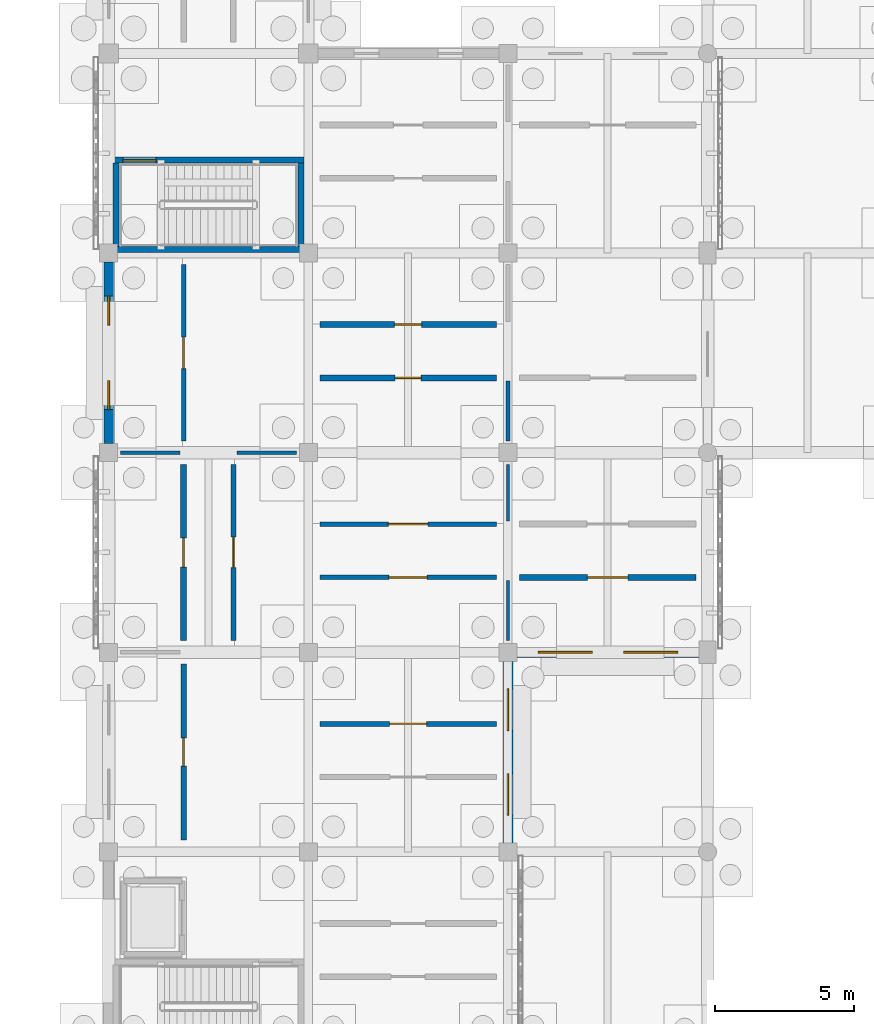
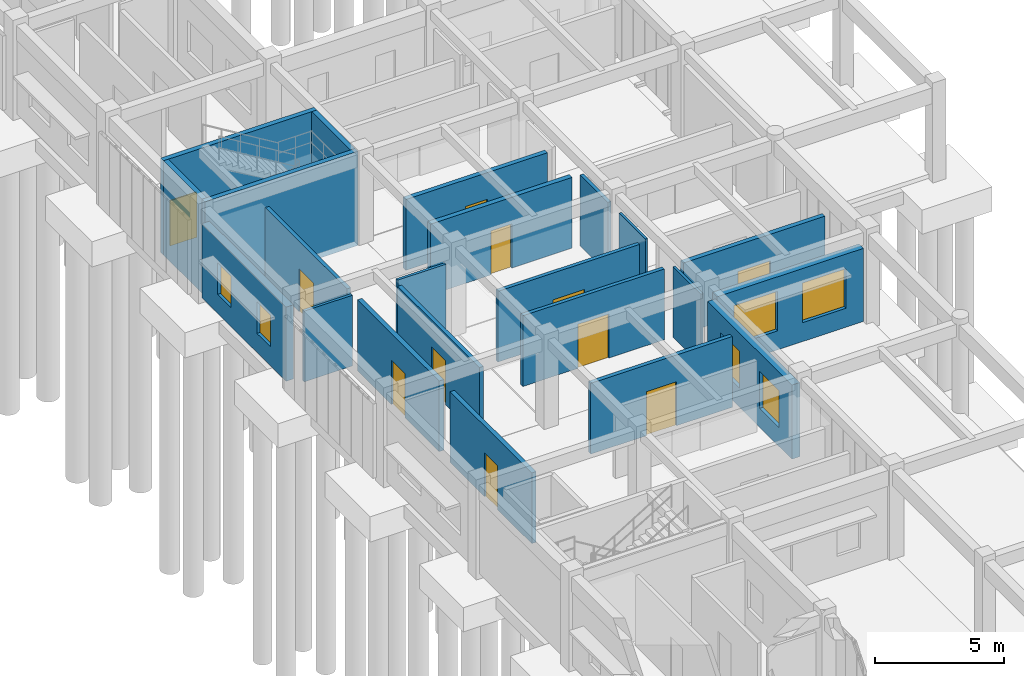
# One storey, part 64 of 111: 22 walls, 11 doors, 6 windows, 17 openings.
"""IFC4 building model written with IfcOpenShell, lengths in metres."""

from ifc_helpers import new_model, si_unit, direction, frame, frame_2d, origin, place, context, subcontext, project, spatial, rectangle, extrude, material, layer, layer_set, type_object, element, fill, save


model = new_model("IFC4")

# Units and contexts
model_context = context("Model", 3, precision=1e-05, world=origin(), true_north=direction((0.0, 1.0)))
body_context = subcontext(model_context, "Body", "Model", "MODEL_VIEW")
ifc_project = project(units=[si_unit("LENGTHUNIT", "METRE"), si_unit("AREAUNIT", "SQUARE_METRE"), si_unit("VOLUMEUNIT", "CUBIC_METRE"), si_unit("PLANEANGLEUNIT", "RADIAN"), si_unit("MASSUNIT", "GRAM", prefix="KILO")], contexts=[model_context])

# Site, building, storey
site_placement = place(None, origin())
site = spatial("IfcSite", under=ifc_project, at=site_placement, CompositionType="ELEMENT")
building_placement = place(site_placement, origin())
building = spatial("IfcBuilding", under=site, at=building_placement, Name="Aldebral Square Health Centre", CompositionType="ELEMENT")
storey_placement = place(building_placement, origin())
storey = spatial("IfcBuildingStorey", under=building, at=storey_placement, Name="L00", CompositionType="ELEMENT", Elevation=0.0)

# Wall, openings, windows
ifc_material_1 = material(Name="Cream cantera stone and concrete wall C35/45", Category="masonry")
ifc_layer_1 = layer(ifc_material_1, 0.340087890625, Name="Cream cantera stone and concrete wall C35/45", Category="masonry")
ifc_layer_set_1 = layer_set([ifc_layer_1], Name="Cream cantera stone and concrete wall C35/45")
wall_type_1 = type_object("IfcWallType", Name="EW-CAN-340", PredefinedType="SOLIDWALL", material=ifc_layer_set_1)
wall_1_placement = place(storey_placement, frame((0.0, 57.27490234375, 0.0), z_axis=(0.0, 0.0, 1.0), x_axis=(0.0, -1.0, 0.0)))
wall_1 = element("IfcWall", 1, at=wall_1_placement, inside=storey, type_object=wall_type_1, Name="L00 V4 exterior wall L00-V4-00-07-W", PredefinedType="SOLIDWALL", context=body_context, shape_type="SweptSolid", body=[
    extrude(rectangle(XDim=6.5498046875, YDim=0.340087890625, at=frame_2d((3.27490234375, 0.0))), origin(), (0.0, 0.0, 1.0), 3.52001953125),
])
opening_1_placement = place(wall_1_placement, frame((1.22509765625, 0.0, 0.89990234375)))
opening_1 = element("IfcOpeningElement", 2, at=opening_1_placement, cuts=wall_1, Name="Opening W20", PredefinedType="OPENING", context=body_context, shape_type="SweptSolid", body=[
    extrude(rectangle(XDim=1.050048828125, YDim=1.5, at=frame_2d((0.52490234375, 0.75))), frame((0.0, 0.18017578125, 0.0), z_axis=(0.0, -1.0, 0.0), x_axis=(1.0, 0.0, 0.0)), (0.0, 0.0, 1.0), 0.360107421875),
])
opening_2_placement = place(wall_1_placement, frame((4.27490234375, 0.0, 0.89990234375)))
opening_2 = element("IfcOpeningElement", 3, at=opening_2_placement, cuts=wall_1, Name="Opening W20", PredefinedType="OPENING", context=body_context, shape_type="SweptSolid", body=[
    extrude(rectangle(XDim=1.050048828125, YDim=1.5, at=frame_2d((0.52490234375, 0.75))), frame((0.0, 0.18017578125, 0.0), z_axis=(0.0, -1.0, 0.0), x_axis=(1.0, 0.0, 0.0)), (0.0, 0.0, 1.0), 0.360107421875),
])
ifc_material_2 = material(Name="Thermally broken aluminium and low-E glass", Category="aluminium")
window_type_1 = type_object("IfcWindowType", Name="WIN-W20", PartitioningType="SINGLE_PANEL", PredefinedType="WINDOW", material=ifc_material_2)
window_1_placement = place(opening_1_placement, origin())
window_1 = element("IfcWindow", 4, at=window_1_placement, inside=storey, type_object=window_type_1, Name="L00 clinical window L00-V4-00-07-W.1", OverallHeight=1.5, OverallWidth=1.050048828125, PartitioningType="SINGLE_PANEL", PredefinedType="WINDOW", context=body_context, shape_type="SweptSolid", body=[
    extrude(rectangle(XDim=1.050048828125, YDim=1.5, at=frame_2d((0.52490234375, 0.75))), frame((0.0, 0.030029296875, 0.0), z_axis=(0.0, -1.0, 0.0), x_axis=(1.0, 0.0, 0.0)), (0.0, 0.0, 1.0), 0.06005859375),
])
fill(opening_1, window_1)
window_2_placement = place(opening_2_placement, origin())
window_2 = element("IfcWindow", 5, at=window_2_placement, inside=storey, type_object=window_type_1, Name="L00 clinical window L00-V4-00-07-W.2", OverallHeight=1.5, OverallWidth=1.050048828125, PartitioningType="SINGLE_PANEL", PredefinedType="WINDOW", context=body_context, shape_type="SweptSolid", body=[
    extrude(rectangle(XDim=1.050048828125, YDim=1.5, at=frame_2d((0.52490234375, 0.75))), frame((0.0, 0.030029296875, 0.0), z_axis=(0.0, -1.0, 0.0), x_axis=(1.0, 0.0, 0.0)), (0.0, 0.0, 1.0), 0.06005859375),
])
fill(opening_2, window_2)

ifc_layer_2 = layer(ifc_material_1, 0.360107421875, Name="Cream cantera stone and concrete wall C35/45", Category="masonry")
ifc_layer_set_2 = layer_set([ifc_layer_2], Name="Cream cantera stone and concrete wall C35/45")
wall_type_2 = type_object("IfcWallType", Name="EW-CAN-360", PredefinedType="SOLIDWALL", material=ifc_layer_set_2)
wall_2_placement = place(storey_placement, frame((14.39990234375, 36.324951171875, 0.0), z_axis=(0.0, 0.0, 1.0), x_axis=(0.0, 1.0, 0.0)))
wall_2 = element("IfcWall", 6, at=wall_2_placement, inside=storey, type_object=wall_type_2, Name="L00 V6 exterior wall L00-V6-01-05-E", PredefinedType="SOLIDWALL", context=body_context, shape_type="SweptSolid", body=[
    extrude(rectangle(XDim=6.550048828125, YDim=0.360107421875, at=frame_2d((3.27490234375, 0.0))), origin(), (0.0, 0.0, 1.0), 3.52001953125),
])
opening_3_placement = place(wall_2_placement, frame((1.0, 0.0, 0.89990234375)))
opening_3 = element("IfcOpeningElement", 7, at=opening_3_placement, cuts=wall_2, Name="Opening W41", PredefinedType="OPENING", context=body_context, shape_type="SweptSolid", body=[
    extrude(rectangle(XDim=1.5, YDim=1.75, at=frame_2d((0.75, 0.875))), frame((0.0, 0.18994140625, 0.0), z_axis=(0.0, -1.0, 0.0), x_axis=(1.0, 0.0, 0.0)), (0.0, 0.0, 1.0), 0.380126953125),
])
opening_4_placement = place(wall_2_placement, frame((4.050048828125, 0.0, 0.89990234375)))
opening_4 = element("IfcOpeningElement", 8, at=opening_4_placement, cuts=wall_2, Name="Opening W41", PredefinedType="OPENING", context=body_context, shape_type="SweptSolid", body=[
    extrude(rectangle(XDim=1.5, YDim=1.75, at=frame_2d((0.75, 0.875))), frame((0.0, 0.18994140625, 0.0), z_axis=(0.0, -1.0, 0.0), x_axis=(1.0, 0.0, 0.0)), (0.0, 0.0, 1.0), 0.380126953125),
])
window_type_2 = type_object("IfcWindowType", Name="WIN-W41", PartitioningType="SINGLE_PANEL", PredefinedType="WINDOW", material=ifc_material_2)
window_3_placement = place(opening_3_placement, origin())
window_3 = element("IfcWindow", 9, at=window_3_placement, inside=storey, type_object=window_type_2, Name="L00 clinical window L00-V6-01-05-E.1", OverallHeight=1.75, OverallWidth=1.5, PartitioningType="SINGLE_PANEL", PredefinedType="WINDOW", context=body_context, shape_type="SweptSolid", body=[
    extrude(rectangle(XDim=1.5, YDim=1.75, at=frame_2d((0.75, 0.875))), frame((0.0, 0.030029296875, 0.0), z_axis=(0.0, -1.0, 0.0), x_axis=(1.0, 0.0, 0.0)), (0.0, 0.0, 1.0), 0.06005859375),
])
fill(opening_3, window_3)
window_4_placement = place(opening_4_placement, origin())
window_4 = element("IfcWindow", 10, at=window_4_placement, inside=storey, type_object=window_type_2, Name="L00 clinical window L00-V6-01-05-E.2", OverallHeight=1.75, OverallWidth=1.5, PartitioningType="SINGLE_PANEL", PredefinedType="WINDOW", context=body_context, shape_type="SweptSolid", body=[
    extrude(rectangle(XDim=1.5, YDim=1.75, at=frame_2d((0.75, 0.875))), frame((0.0, 0.030029296875, 0.0), z_axis=(0.0, -1.0, 0.0), x_axis=(1.0, 0.0, 0.0)), (0.0, 0.0, 1.0), 0.06005859375),
])
fill(opening_4, window_4)

wall_3_placement = place(storey_placement, frame((14.72509765625, 43.199951171875, 0.0), z_axis=(0.0, 0.0, 1.0), x_axis=(1.0, 0.0, 0.0)))
wall_3 = element("IfcWall", 11, at=wall_3_placement, inside=storey, type_object=wall_type_2, Name="L00 V6 exterior wall L00-V6-02-06-S", PredefinedType="SOLIDWALL", context=body_context, shape_type="SweptSolid", body=[
    extrude(rectangle(XDim=6.574951171875, YDim=0.360107421875, at=frame_2d((3.28759765625, 0.0))), origin(), (0.0, 0.0, 1.0), 3.469970703125),
])
opening_5_placement = place(wall_3_placement, frame((0.77490234375, 0.0, 0.89990234375)))
opening_5 = element("IfcOpeningElement", 12, at=opening_5_placement, cuts=wall_3, Name="Opening W53", PredefinedType="OPENING", context=body_context, shape_type="SweptSolid", body=[
    extrude(rectangle(XDim=1.949951171875, YDim=1.8798828125, at=frame_2d((0.97509765625, 0.93994140625))), frame((0.0, 0.18994140625, 0.0), z_axis=(0.0, -1.0, 0.0), x_axis=(1.0, 0.0, 0.0)), (0.0, 0.0, 1.0), 0.380126953125),
])
opening_6_placement = place(wall_3_placement, frame((3.85009765625, 0.0, 0.89990234375)))
opening_6 = element("IfcOpeningElement", 13, at=opening_6_placement, cuts=wall_3, Name="Opening W53", PredefinedType="OPENING", context=body_context, shape_type="SweptSolid", body=[
    extrude(rectangle(XDim=1.949951171875, YDim=1.8798828125, at=frame_2d((0.97509765625, 0.93994140625))), frame((0.0, 0.18994140625, 0.0), z_axis=(0.0, -1.0, 0.0), x_axis=(1.0, 0.0, 0.0)), (0.0, 0.0, 1.0), 0.380126953125),
])
window_type_3 = type_object("IfcWindowType", Name="WIN-W53", PartitioningType="SINGLE_PANEL", PredefinedType="WINDOW", material=ifc_material_2)
window_5_placement = place(opening_5_placement, origin())
window_5 = element("IfcWindow", 14, at=window_5_placement, inside=storey, type_object=window_type_3, Name="L00 clinical window L00-V6-02-06-S.1", OverallHeight=1.8798828125, OverallWidth=1.949951171875, PartitioningType="SINGLE_PANEL", PredefinedType="WINDOW", context=body_context, shape_type="SweptSolid", body=[
    extrude(rectangle(XDim=1.949951171875, YDim=1.8798828125, at=frame_2d((0.97509765625, 0.93994140625))), frame((0.0, 0.030029296875, 0.0), z_axis=(0.0, -1.0, 0.0), x_axis=(1.0, 0.0, 0.0)), (0.0, 0.0, 1.0), 0.06005859375),
])
fill(opening_5, window_5)
window_6_placement = place(opening_6_placement, origin())
window_6 = element("IfcWindow", 15, at=window_6_placement, inside=storey, type_object=window_type_3, Name="L00 clinical window L00-V6-02-06-S.2", OverallHeight=1.8798828125, OverallWidth=1.949951171875, PartitioningType="SINGLE_PANEL", PredefinedType="WINDOW", context=body_context, shape_type="SweptSolid", body=[
    extrude(rectangle(XDim=1.949951171875, YDim=1.8798828125, at=frame_2d((0.97509765625, 0.93994140625))), frame((0.0, 0.030029296875, 0.0), z_axis=(0.0, -1.0, 0.0), x_axis=(1.0, 0.0, 0.0)), (0.0, 0.0, 1.0), 0.06005859375),
])
fill(opening_6, window_6)

# Wall, opening, door
ifc_material_3 = material(Name="Concrete C35/45 compartment wall", Category="concrete")
ifc_layer_3 = layer(ifc_material_3, 0.199951171875, Name="Concrete C35/45 compartment wall", Category="concrete")
ifc_layer_set_3 = layer_set([ifc_layer_3], Name="Concrete C35/45 compartment wall")
wall_type_3 = type_object("IfcWallType", Name="IW-CMP-200", PredefinedType="SOLIDWALL", material=ifc_layer_set_3)
wall_4_placement = place(storey_placement, frame((2.699951171875, 36.419921875, 0.0), z_axis=(0.0, 0.0, 1.0), x_axis=(0.0, 1.0, 0.0)))
wall_4 = element("IfcWall", 16, at=wall_4_placement, inside=storey, type_object=wall_type_3, Name="L00 Nutrition Teaching Studio 1.6W corridor wall", PredefinedType="SOLIDWALL", context=body_context, shape_type="SweptSolid", body=[
    extrude(rectangle(XDim=6.360107421875, YDim=0.199951171875, at=frame_2d((3.18017578125, 0.0))), origin(), (0.0, 0.0, 1.0), 3.360107421875),
])
opening_7_placement = place(wall_4_placement, frame((2.669921875, 0.0, 0.0)))
opening_7 = element("IfcOpeningElement", 17, at=opening_7_placement, cuts=wall_4, Name="Opening D-0172", PredefinedType="OPENING", context=body_context, shape_type="SweptSolid", body=[
    extrude(rectangle(XDim=1.02001953125, YDim=2.090087890625, at=frame_2d((0.510009765625, 1.044921875))), frame((0.0, 0.10986328125, 0.0), z_axis=(0.0, -1.0, 0.0), x_axis=(1.0, 0.0, 0.0)), (0.0, 0.0, 1.0), 0.219970703125),
])
ifc_material_4 = material(Name="Clinical suite fire door")
door_type_1 = type_object("IfcDoorType", Name="ID-EXD-19", OperationType="NOTDEFINED", PredefinedType="DOOR", material=ifc_material_4)
door_1_placement = place(opening_7_placement, origin())
door_1 = element("IfcDoor", 18, at=door_1_placement, inside=storey, type_object=door_type_1, Name="L00 Nutrition Teaching Studio 1.6W door", OperationType="SINGLE_SWING_LEFT", OverallHeight=2.090087890625, OverallWidth=1.02001953125, PredefinedType="DOOR", context=body_context, shape_type="SweptSolid", body=[
    extrude(rectangle(XDim=1.02001953125, YDim=2.090087890625, at=frame_2d((0.510009765625, 1.044921875))), frame((0.0, 0.02490234375, 0.0), z_axis=(0.0, -1.0, 0.0), x_axis=(1.0, 0.0, 0.0)), (0.0, 0.0, 1.0), 0.050048828125),
])
fill(opening_7, door_1)

ifc_layer_4 = layer(ifc_material_3, 0.219970703125, Name="Concrete C35/45 compartment wall", Category="concrete")
ifc_layer_set_4 = layer_set([ifc_layer_4], Name="Concrete C35/45 compartment wall")
wall_type_4 = type_object("IfcWallType", Name="IW-CMP-220", PredefinedType="SOLIDWALL", material=ifc_layer_set_4)
wall_5_placement = place(storey_placement, frame((7.6201171875, 53.10009765625, 0.0), z_axis=(0.0, 0.0, 1.0), x_axis=(1.0, 0.0, 0.0)))
wall_5 = element("IfcWall", 19, at=wall_5_placement, inside=storey, type_object=wall_type_4, Name="L00 Clean Clinical Store 2.8S corridor wall", PredefinedType="SOLIDWALL", context=body_context, shape_type="SweptSolid", body=[
    extrude(rectangle(XDim=6.35986328125, YDim=0.219970703125, at=frame_2d((3.179931640625, 0.0))), origin(), (0.0, 0.0, 1.0), 3.360107421875),
])
opening_8_placement = place(wall_5_placement, frame((2.7099609375, 0.0, 0.0)))
opening_8 = element("IfcOpeningElement", 20, at=opening_8_placement, cuts=wall_5, Name="Opening D-0101", PredefinedType="OPENING", context=body_context, shape_type="SweptSolid", body=[
    extrude(rectangle(XDim=0.93994140625, YDim=2.090087890625, at=frame_2d((0.469970703125, 1.044921875))), frame((0.0, 0.1201171875, 0.0), z_axis=(0.0, -1.0, 0.0), x_axis=(1.0, 0.0, 0.0)), (0.0, 0.0, 1.0), 0.239990234375),
])
door_type_2 = type_object("IfcDoorType", Name="ID-EXD-17", OperationType="NOTDEFINED", PredefinedType="DOOR", material=ifc_material_4)
door_2_placement = place(opening_8_placement, origin())
door_2 = element("IfcDoor", 21, at=door_2_placement, inside=storey, type_object=door_type_2, Name="L00 Clean Clinical Store 2.8S door", OperationType="SINGLE_SWING_RIGHT", OverallHeight=2.090087890625, OverallWidth=0.93994140625, PredefinedType="DOOR", context=body_context, shape_type="SweptSolid", body=[
    extrude(rectangle(XDim=0.93994140625, YDim=2.090087890625, at=frame_2d((0.469970703125, 1.044921875))), frame((0.0, 0.02490234375, 0.0), z_axis=(0.0, -1.0, 0.0), x_axis=(1.0, 0.0, 0.0)), (0.0, 0.0, 1.0), 0.050048828125),
])
fill(opening_8, door_2)

ifc_material_5 = material(Name="Fire-rated acoustic gypsum partition")
ifc_layer_5 = layer(ifc_material_5, 0.1650390625, Name="Fire-rated acoustic gypsum partition")
ifc_layer_set_5 = layer_set([ifc_layer_5], Name="Fire-rated acoustic gypsum partition")
wall_type_5 = type_object("IfcWallType", Name="IW-COR-165", PredefinedType="PARTITIONING", material=ifc_layer_set_5)
wall_6_placement = place(storey_placement, frame((2.699951171875, 50.820068359375, 0.0), z_axis=(0.0, 0.0, 1.0), x_axis=(0.0, 1.0, 0.0)))
wall_6 = element("IfcWall", 22, at=wall_6_placement, inside=storey, type_object=wall_type_5, Name="L00 General Consulting Room 1.8W corridor wall", PredefinedType="PARTITIONING", context=body_context, shape_type="SweptSolid", body=[
    extrude(rectangle(XDim=6.35986328125, YDim=0.1650390625, at=frame_2d((3.179931640625, 0.0))), origin(), (0.0, 0.0, 1.0), 3.360107421875),
])
opening_9_placement = place(wall_6_placement, frame((2.610107421875, 0.0, 0.0)))
opening_9 = element("IfcOpeningElement", 23, at=opening_9_placement, cuts=wall_6, Name="Opening D-0090", PredefinedType="OPENING", context=body_context, shape_type="SweptSolid", body=[
    extrude(rectangle(XDim=1.139892578125, YDim=2.0400390625, at=frame_2d((0.56982421875, 1.02001953125))), frame((0.0, 0.092529296875, 0.0), z_axis=(0.0, -1.0, 0.0), x_axis=(1.0, 0.0, 0.0)), (0.0, 0.0, 1.0), 0.18505859375),
])
door_type_3 = type_object("IfcDoorType", Name="ID-EXD-06", OperationType="NOTDEFINED", PredefinedType="DOOR", material=ifc_material_4)
door_3_placement = place(opening_9_placement, origin())
door_3 = element("IfcDoor", 24, at=door_3_placement, inside=storey, type_object=door_type_3, Name="L00 General Consulting Room 1.8W door", OperationType="SINGLE_SWING_LEFT", OverallHeight=2.0400390625, OverallWidth=1.139892578125, PredefinedType="DOOR", context=body_context, shape_type="SweptSolid", body=[
    extrude(rectangle(XDim=1.139892578125, YDim=2.0400390625, at=frame_2d((0.56982421875, 1.02001953125))), frame((0.0, 0.02490234375, 0.0), z_axis=(0.0, -1.0, 0.0), x_axis=(1.0, 0.0, 0.0)), (0.0, 0.0, 1.0), 0.050048828125),
])
fill(opening_9, door_3)

wall_7_placement = place(storey_placement, frame((7.6201171875, 45.89990234375, 0.0), z_axis=(0.0, 0.0, 1.0), x_axis=(1.0, 0.0, 0.0)))
wall_7 = element("IfcWall", 25, at=wall_7_placement, inside=storey, type_object=wall_type_5, Name="L00 Social Work Interview Room 2.7S corridor wall", PredefinedType="PARTITIONING", context=body_context, shape_type="SweptSolid", body=[
    extrude(rectangle(XDim=6.35986328125, YDim=0.1650390625, at=frame_2d((3.179931640625, 0.0))), origin(), (0.0, 0.0, 1.0), 3.360107421875),
])
opening_10_placement = place(wall_7_placement, frame((2.489990234375, 0.0, 0.0)))
opening_10 = element("IfcOpeningElement", 26, at=opening_10_placement, cuts=wall_7, Name="Opening D-0181", PredefinedType="OPENING", context=body_context, shape_type="SweptSolid", body=[
    extrude(rectangle(XDim=1.3798828125, YDim=2.090087890625, at=frame_2d((0.68994140625, 1.044921875))), frame((0.0, 0.092529296875, 0.0), z_axis=(0.0, -1.0, 0.0), x_axis=(1.0, 0.0, 0.0)), (0.0, 0.0, 1.0), 0.18505859375),
])
door_type_4 = type_object("IfcDoorType", Name="ID-EXD-28", OperationType="NOTDEFINED", PredefinedType="DOOR", material=ifc_material_4)
door_4_placement = place(opening_10_placement, origin())
door_4 = element("IfcDoor", 27, at=door_4_placement, inside=storey, type_object=door_type_4, Name="L00 Social Work Interview Room 2.7S door", OperationType="SINGLE_SWING_RIGHT", OverallHeight=2.090087890625, OverallWidth=1.3798828125, PredefinedType="DOOR", context=body_context, shape_type="SweptSolid", body=[
    extrude(rectangle(XDim=1.3798828125, YDim=2.090087890625, at=frame_2d((0.68994140625, 1.044921875))), frame((0.0, 0.02490234375, 0.0), z_axis=(0.0, -1.0, 0.0), x_axis=(1.0, 0.0, 0.0)), (0.0, 0.0, 1.0), 0.050048828125),
])
fill(opening_10, door_4)

wall_8_placement = place(storey_placement, frame((7.6201171875, 47.820068359375, 0.0), z_axis=(0.0, 0.0, 1.0), x_axis=(1.0, 0.0, 0.0)))
wall_8 = element("IfcWall", 28, at=wall_8_placement, inside=storey, type_object=wall_type_5, Name="L00 Nutrition Teaching Studio 2.7N corridor wall", PredefinedType="PARTITIONING", context=body_context, shape_type="SweptSolid", body=[
    extrude(rectangle(XDim=6.35986328125, YDim=0.1650390625, at=frame_2d((3.179931640625, 0.0))), origin(), (0.0, 0.0, 1.0), 3.360107421875),
])
opening_11_placement = place(wall_8_placement, frame((2.469970703125, 0.0, 0.0)))
opening_11 = element("IfcOpeningElement", 29, at=opening_11_placement, cuts=wall_8, Name="Opening D-0182", PredefinedType="OPENING", context=body_context, shape_type="SweptSolid", body=[
    extrude(rectangle(XDim=1.419921875, YDim=2.090087890625, at=frame_2d((0.7099609375, 1.044921875))), frame((0.0, 0.092529296875, 0.0), z_axis=(0.0, -1.0, 0.0), x_axis=(1.0, 0.0, 0.0)), (0.0, 0.0, 1.0), 0.18505859375),
])
door_type_5 = type_object("IfcDoorType", Name="ID-EXD-29", OperationType="NOTDEFINED", PredefinedType="DOOR", material=ifc_material_4)
door_5_placement = place(opening_11_placement, origin())
door_5 = element("IfcDoor", 30, at=door_5_placement, inside=storey, type_object=door_type_5, Name="L00 Nutrition Teaching Studio 2.7N door", OperationType="SINGLE_SWING_LEFT", OverallHeight=2.090087890625, OverallWidth=1.419921875, PredefinedType="DOOR", context=body_context, shape_type="SweptSolid", body=[
    extrude(rectangle(XDim=1.419921875, YDim=2.090087890625, at=frame_2d((0.7099609375, 1.044921875))), frame((0.0, 0.02490234375, 0.0), z_axis=(0.0, -1.0, 0.0), x_axis=(1.0, 0.0, 0.0)), (0.0, 0.0, 1.0), 0.050048828125),
])
fill(opening_11, door_5)

ifc_layer_6 = layer(ifc_material_5, 0.179931640625, Name="Fire-rated acoustic gypsum partition")
ifc_layer_set_6 = layer_set([ifc_layer_6], Name="Fire-rated acoustic gypsum partition")
wall_type_6 = type_object("IfcWallType", Name="IW-COR-180", PredefinedType="PARTITIONING", material=ifc_layer_set_6)
wall_9_placement = place(storey_placement, frame((4.5, 43.6201171875, 0.0), z_axis=(0.0, 0.0, 1.0), x_axis=(0.0, 1.0, 0.0)))
wall_9 = element("IfcWall", 31, at=wall_9_placement, inside=storey, type_object=wall_type_6, Name="L00 Community Room 1.7E corridor wall", PredefinedType="PARTITIONING", context=body_context, shape_type="SweptSolid", body=[
    extrude(rectangle(XDim=6.35986328125, YDim=0.179931640625, at=frame_2d((3.179931640625, 0.0))), origin(), (0.0, 0.0, 1.0), 3.360107421875),
])
opening_12_placement = place(wall_9_placement, frame((2.6298828125, 0.0, 0.0)))
opening_12 = element("IfcOpeningElement", 32, at=opening_12_placement, cuts=wall_9, Name="Opening D-0174", PredefinedType="OPENING", context=body_context, shape_type="SweptSolid", body=[
    extrude(rectangle(XDim=1.10009765625, YDim=2.090087890625, at=frame_2d((0.550048828125, 1.044921875))), frame((0.0, 0.10009765625, 0.0), z_axis=(0.0, -1.0, 0.0), x_axis=(1.0, 0.0, 0.0)), (0.0, 0.0, 1.0), 0.199951171875),
])
door_type_6 = type_object("IfcDoorType", Name="ID-EXD-21", OperationType="NOTDEFINED", PredefinedType="DOOR", material=ifc_material_4)
door_6_placement = place(opening_12_placement, origin())
door_6 = element("IfcDoor", 33, at=door_6_placement, inside=storey, type_object=door_type_6, Name="L00 Community Room 1.7E door", OperationType="SINGLE_SWING_LEFT", OverallHeight=2.090087890625, OverallWidth=1.10009765625, PredefinedType="DOOR", context=body_context, shape_type="SweptSolid", body=[
    extrude(rectangle(XDim=1.10009765625, YDim=2.090087890625, at=frame_2d((0.550048828125, 1.044921875))), frame((0.0, 0.02490234375, 0.0), z_axis=(0.0, -1.0, 0.0), x_axis=(1.0, 0.0, 0.0)), (0.0, 0.0, 1.0), 0.050048828125),
])
fill(opening_12, door_6)

wall_10_placement = place(storey_placement, frame((7.6201171875, 40.6201171875, 0.0), z_axis=(0.0, 0.0, 1.0), x_axis=(1.0, 0.0, 0.0)))
wall_10 = element("IfcWall", 34, at=wall_10_placement, inside=storey, type_object=wall_type_6, Name="L00 Health Education Classroom 2.6N corridor wall", PredefinedType="PARTITIONING", context=body_context, shape_type="SweptSolid", body=[
    extrude(rectangle(XDim=6.35986328125, YDim=0.179931640625, at=frame_2d((3.179931640625, 0.0))), origin(), (0.0, 0.0, 1.0), 3.360107421875),
])
opening_13_placement = place(wall_10_placement, frame((2.510009765625, 0.0, 0.0)))
opening_13 = element("IfcOpeningElement", 35, at=opening_13_placement, cuts=wall_10, Name="Opening D-0180", PredefinedType="OPENING", context=body_context, shape_type="SweptSolid", body=[
    extrude(rectangle(XDim=1.340087890625, YDim=2.090087890625, at=frame_2d((0.669921875, 1.044921875))), frame((0.0, 0.10009765625, 0.0), z_axis=(0.0, -1.0, 0.0), x_axis=(1.0, 0.0, 0.0)), (0.0, 0.0, 1.0), 0.199951171875),
])
door_type_7 = type_object("IfcDoorType", Name="ID-EXD-27", OperationType="NOTDEFINED", PredefinedType="DOOR", material=ifc_material_4)
door_7_placement = place(opening_13_placement, origin())
door_7 = element("IfcDoor", 36, at=door_7_placement, inside=storey, type_object=door_type_7, Name="L00 Health Education Classroom 2.6N door", OperationType="SINGLE_SWING_LEFT", OverallHeight=2.090087890625, OverallWidth=1.340087890625, PredefinedType="DOOR", context=body_context, shape_type="SweptSolid", body=[
    extrude(rectangle(XDim=1.340087890625, YDim=2.090087890625, at=frame_2d((0.669921875, 1.044921875))), frame((0.0, 0.02490234375, 0.0), z_axis=(0.0, -1.0, 0.0), x_axis=(1.0, 0.0, 0.0)), (0.0, 0.0, 1.0), 0.050048828125),
])
fill(opening_13, door_7)

# Wall
ifc_material_6 = material(Name="Concrete C40/50", Category="concrete")
ifc_layer_7 = layer(ifc_material_6, 0.219970703125, Name="Concrete C40/50", Category="concrete")
ifc_layer_set_7 = layer_set([ifc_layer_7], Name="Concrete C40/50")
wall_type_7 = type_object("IfcWallType", Name="IW-CORE-280", PredefinedType="SHEAR", material=ifc_layer_set_7)
wall_11_placement = place(storey_placement, frame((0.159912109375, 57.72998046875, -0.25), z_axis=(0.0, 0.0, 1.0), x_axis=(1.0, 0.0, 0.0)))
element("IfcWall", 37, at=wall_11_placement, inside=storey, type_object=wall_type_7, Name="L00 WS-S11 shaft wall S", PredefinedType="SHEAR", context=body_context, shape_type="SweptSolid", body=[
    extrude(rectangle(XDim=6.880126953125, YDim=0.219970703125, at=frame_2d((3.43994140625, 0.0))), origin(), (0.0, 0.0, 1.0), 4.469970703125),
])

# Wall, opening, door
wall_12_placement = place(storey_placement, frame((0.159912109375, 60.949951171875, -0.25), z_axis=(0.0, 0.0, 1.0), x_axis=(1.0, 0.0, 0.0)))
wall_12 = element("IfcWall", 38, at=wall_12_placement, inside=storey, type_object=wall_type_7, Name="L00 WS-S11 shaft wall N", PredefinedType="SHEAR", context=body_context, shape_type="SweptSolid", body=[
    extrude(rectangle(XDim=6.880126953125, YDim=0.219970703125, at=frame_2d((3.43994140625, 0.0))), origin(), (0.0, 0.0, 1.0), 4.469970703125),
])
opening_14_placement = place(wall_12_placement, frame((0.35009765625, 0.0, 0.25)))
opening_14 = element("IfcOpeningElement", 39, at=opening_14_placement, cuts=wall_12, Name="Opening D-0077", PredefinedType="OPENING", context=body_context, shape_type="SweptSolid", body=[
    extrude(rectangle(XDim=1.199951171875, YDim=2.14990234375, at=frame_2d((0.60009765625, 1.074951171875))), frame((0.0, 0.1201171875, 0.0), z_axis=(0.0, -1.0, 0.0), x_axis=(1.0, 0.0, 0.0)), (0.0, 0.0, 1.0), 0.239990234375),
])
ifc_material_7 = material(Name="Fire-rated steel stair door", Category="steel")
door_type_8 = type_object("IfcDoorType", Name="ID-ST-120", OperationType="NOTDEFINED", PredefinedType="DOOR", material=ifc_material_7)
door_8_placement = place(opening_14_placement, origin())
door_8 = element("IfcDoor", 40, at=door_8_placement, inside=storey, type_object=door_type_8, Name="L00 ST-11 fire door", OperationType="SINGLE_SWING_LEFT", OverallHeight=2.14990234375, OverallWidth=1.199951171875, PredefinedType="DOOR", context=body_context, shape_type="SweptSolid", body=[
    extrude(rectangle(XDim=1.199951171875, YDim=2.14990234375, at=frame_2d((0.60009765625, 1.074951171875))), frame((0.0, 0.02490234375, 0.0), z_axis=(0.0, -1.0, 0.0), x_axis=(1.0, 0.0, 0.0)), (0.0, 0.0, 1.0), 0.050048828125),
])
fill(opening_14, door_8)

# Walls
for number, where, z_axis, x_axis, name in (
    (41, (0.27001953125, 57.840087890625, -0.25), (0.0, 0.0, 1.0), (0.0, 1.0, 0.0), "L00 WS-S11 shaft wall W"),
    (42, (6.929931640625, 57.840087890625, -0.25), (0.0, 0.0, 1.0), (0.0, 1.0, 0.0), "L00 WS-S11 shaft wall E"),
):
    element("IfcWall", number, at=place(storey_placement, frame(where, z_axis=z_axis, x_axis=x_axis)), inside=storey, type_object=wall_type_7, Name=name, PredefinedType="SHEAR", context=body_context, shape_type="SweptSolid", body=[
        extrude(rectangle(XDim=3.0, YDim=0.219970703125, at=frame_2d((1.5, 0.0))), origin(), (0.0, 0.0, 1.0), 4.469970703125),
    ])

# Wall, opening, door
ifc_material_8 = material(Name="Moisture-resistant sanitary chase wall")
ifc_layer_8 = layer(ifc_material_8, 0.2099609375, Name="Moisture-resistant sanitary chase wall")
ifc_layer_set_8 = layer_set([ifc_layer_8], Name="Moisture-resistant sanitary chase wall")
wall_type_8 = type_object("IfcWallType", Name="IW-PLB-210", PredefinedType="PLUMBINGWALL", material=ifc_layer_set_8)
wall_13_placement = place(storey_placement, frame((7.6201171875, 55.02001953125, 0.0), z_axis=(0.0, 0.0, 1.0), x_axis=(1.0, 0.0, 0.0)))
wall_13 = element("IfcWall", 43, at=wall_13_placement, inside=storey, type_object=wall_type_8, Name="L00 Accessible WC 2.8N corridor wall", PredefinedType="PLUMBINGWALL", context=body_context, shape_type="SweptSolid", body=[
    extrude(rectangle(XDim=6.35986328125, YDim=0.2099609375, at=frame_2d((3.179931640625, 0.0))), origin(), (0.0, 0.0, 1.0), 3.360107421875),
])
opening_15_placement = place(wall_13_placement, frame((2.68994140625, 0.0, 0.0)))
opening_15 = element("IfcOpeningElement", 44, at=opening_15_placement, cuts=wall_13, Name="Opening D-0102", PredefinedType="OPENING", context=body_context, shape_type="SweptSolid", body=[
    extrude(rectangle(XDim=0.97998046875, YDim=2.090087890625, at=frame_2d((0.489990234375, 1.044921875))), frame((0.0, 0.114990234375, 0.0), z_axis=(0.0, -1.0, 0.0), x_axis=(1.0, 0.0, 0.0)), (0.0, 0.0, 1.0), 0.22998046875),
])
door_type_9 = type_object("IfcDoorType", Name="ID-EXD-18", OperationType="NOTDEFINED", PredefinedType="DOOR", material=ifc_material_4)
door_9_placement = place(opening_15_placement, origin())
door_9 = element("IfcDoor", 45, at=door_9_placement, inside=storey, type_object=door_type_9, Name="L00 Accessible WC 2.8N door", OperationType="SINGLE_SWING_LEFT", OverallHeight=2.090087890625, OverallWidth=0.97998046875, PredefinedType="DOOR", context=body_context, shape_type="SweptSolid", body=[
    extrude(rectangle(XDim=0.97998046875, YDim=2.090087890625, at=frame_2d((0.489990234375, 1.044921875))), frame((0.0, 0.02490234375, 0.0), z_axis=(0.0, -1.0, 0.0), x_axis=(1.0, 0.0, 0.0)), (0.0, 0.0, 1.0), 0.050048828125),
])
fill(opening_15, door_9)

wall_14_placement = place(storey_placement, frame((2.699951171875, 43.6201171875, 0.0), z_axis=(0.0, 0.0, 1.0), x_axis=(0.0, 1.0, 0.0)))
wall_14 = element("IfcWall", 46, at=wall_14_placement, inside=storey, type_object=wall_type_8, Name="L00 Accessible WC 1.7W corridor wall", PredefinedType="PLUMBINGWALL", context=body_context, shape_type="SweptSolid", body=[
    extrude(rectangle(XDim=6.35986328125, YDim=0.2099609375, at=frame_2d((3.179931640625, 0.0))), origin(), (0.0, 0.0, 1.0), 3.360107421875),
])
opening_16_placement = place(wall_14_placement, frame((2.64990234375, 0.0, 0.0)))
opening_16 = element("IfcOpeningElement", 47, at=opening_16_placement, cuts=wall_14, Name="Opening D-0173", PredefinedType="OPENING", context=body_context, shape_type="SweptSolid", body=[
    extrude(rectangle(XDim=1.06005859375, YDim=2.090087890625, at=frame_2d((0.530029296875, 1.044921875))), frame((0.0, 0.114990234375, 0.0), z_axis=(0.0, -1.0, 0.0), x_axis=(1.0, 0.0, 0.0)), (0.0, 0.0, 1.0), 0.22998046875),
])
door_type_10 = type_object("IfcDoorType", Name="ID-EXD-20", OperationType="NOTDEFINED", PredefinedType="DOOR", material=ifc_material_4)
door_10_placement = place(opening_16_placement, origin())
door_10 = element("IfcDoor", 48, at=door_10_placement, inside=storey, type_object=door_type_10, Name="L00 Accessible WC 1.7W door", OperationType="SINGLE_SWING_RIGHT", OverallHeight=2.090087890625, OverallWidth=1.06005859375, PredefinedType="DOOR", context=body_context, shape_type="SweptSolid", body=[
    extrude(rectangle(XDim=1.06005859375, YDim=2.090087890625, at=frame_2d((0.530029296875, 1.044921875))), frame((0.0, 0.02490234375, 0.0), z_axis=(0.0, -1.0, 0.0), x_axis=(1.0, 0.0, 0.0)), (0.0, 0.0, 1.0), 0.050048828125),
])
fill(opening_16, door_10)

wall_15_placement = place(storey_placement, frame((14.820068359375, 45.89990234375, 0.0), z_axis=(0.0, 0.0, 1.0), x_axis=(1.0, 0.0, 0.0)))
wall_15 = element("IfcWall", 49, at=wall_15_placement, inside=storey, type_object=wall_type_8, Name="L00 Accessible WC 3.7S corridor wall", PredefinedType="PLUMBINGWALL", context=body_context, shape_type="SweptSolid", body=[
    extrude(rectangle(XDim=6.35986328125, YDim=0.2099609375, at=frame_2d((3.179931640625, 0.0))), origin(), (0.0, 0.0, 1.0), 3.360107421875),
])
opening_17_placement = place(wall_15_placement, frame((2.449951171875, 0.0, 0.0)))
opening_17 = element("IfcOpeningElement", 50, at=opening_17_placement, cuts=wall_15, Name="Opening D-0183", PredefinedType="OPENING", context=body_context, shape_type="SweptSolid", body=[
    extrude(rectangle(XDim=1.4599609375, YDim=2.090087890625, at=frame_2d((0.72998046875, 1.044921875))), frame((0.0, 0.114990234375, 0.0), z_axis=(0.0, -1.0, 0.0), x_axis=(1.0, 0.0, 0.0)), (0.0, 0.0, 1.0), 0.22998046875),
])
door_type_11 = type_object("IfcDoorType", Name="ID-EXD-30", OperationType="NOTDEFINED", PredefinedType="DOOR", material=ifc_material_4)
door_11_placement = place(opening_17_placement, origin())
door_11 = element("IfcDoor", 51, at=door_11_placement, inside=storey, type_object=door_type_11, Name="L00 Accessible WC 3.7S door", OperationType="SINGLE_SWING_RIGHT", OverallHeight=2.090087890625, OverallWidth=1.4599609375, PredefinedType="DOOR", context=body_context, shape_type="SweptSolid", body=[
    extrude(rectangle(XDim=1.4599609375, YDim=2.090087890625, at=frame_2d((0.72998046875, 1.044921875))), frame((0.0, 0.02490234375, 0.0), z_axis=(0.0, -1.0, 0.0), x_axis=(1.0, 0.0, 0.0)), (0.0, 0.0, 1.0), 0.050048828125),
])
fill(opening_17, door_11)

# Walls
ifc_material_9 = material(Name="Lightweight clinical partition")
ifc_layer_9 = layer(ifc_material_9, 0.10498046875, Name="Lightweight clinical partition")
ifc_layer_set_9 = layer_set([ifc_layer_9], Name="Lightweight clinical partition")
wall_type_9 = type_object("IfcWallType", Name="IW-PRT-105", PredefinedType="PARTITIONING", material=ifc_layer_set_9)
wall_16_placement = place(storey_placement, frame((14.39990234375, 43.6201171875, 0.0), z_axis=(0.0, 0.0, 1.0), x_axis=(0.0, 1.0, 0.0)))
element("IfcWall", 52, at=wall_16_placement, inside=storey, type_object=wall_type_9, Name="L00 Social Work Interview Room 2.7S demising partition", PredefinedType="PARTITIONING", context=body_context, shape_type="SweptSolid", body=[
    extrude(rectangle(XDim=2.159912109375, YDim=0.10498046875, at=frame_2d((1.080078125, 0.0))), origin(), (0.0, 0.0, 1.0), 3.360107421875),
])
wall_17_placement = place(storey_placement, frame((14.39990234375, 47.93994140625, 0.0), z_axis=(0.0, 0.0, 1.0), x_axis=(0.0, 1.0, 0.0)))
element("IfcWall", 53, at=wall_17_placement, inside=storey, type_object=wall_type_9, Name="L00 Nutrition Teaching Studio 2.7N demising partition", PredefinedType="PARTITIONING", context=body_context, shape_type="SweptSolid", body=[
    extrude(rectangle(XDim=2.0400390625, YDim=0.10498046875, at=frame_2d((1.02001953125, 0.0))), origin(), (0.0, 0.0, 1.0), 3.360107421875),
])
ifc_material_10 = material(Name="Acoustic clinical gypsum partition")
ifc_layer_10 = layer(ifc_material_10, 0.1201171875, Name="Acoustic clinical gypsum partition")
ifc_layer_set_10 = layer_set([ifc_layer_10], Name="Acoustic clinical gypsum partition")
wall_type_10 = type_object("IfcWallType", Name="IW-PRT-120", PredefinedType="PARTITIONING", material=ifc_layer_set_10)
wall_18_placement = place(storey_placement, frame((0.419921875, 50.39990234375, 0.0), z_axis=(0.0, 0.0, 1.0), x_axis=(1.0, 0.0, 0.0)))
element("IfcWall", 54, at=wall_18_placement, inside=storey, type_object=wall_type_10, Name="L00 Accessible WC 1.7W demising partition", PredefinedType="PARTITIONING", context=body_context, shape_type="SweptSolid", body=[
    extrude(rectangle(XDim=2.16015625, YDim=0.1201171875, at=frame_2d((1.080078125, 0.0))), origin(), (0.0, 0.0, 1.0), 3.360107421875),
])
wall_19_placement = place(storey_placement, frame((4.6201171875, 50.39990234375, 0.0), z_axis=(0.0, 0.0, 1.0), x_axis=(1.0, 0.0, 0.0)))
element("IfcWall", 55, at=wall_19_placement, inside=storey, type_object=wall_type_10, Name="L00 Community Room 1.7E demising partition", PredefinedType="PARTITIONING", context=body_context, shape_type="SweptSolid", body=[
    extrude(rectangle(XDim=2.159912109375, YDim=0.1201171875, at=frame_2d((1.080078125, 0.0))), origin(), (0.0, 0.0, 1.0), 3.360107421875),
])
ifc_layer_11 = layer(ifc_material_10, 0.14990234375, Name="Acoustic clinical gypsum partition")
ifc_layer_set_11 = layer_set([ifc_layer_11], Name="Acoustic clinical gypsum partition")
wall_type_11 = type_object("IfcWallType", Name="IW-PRT-150", PredefinedType="PARTITIONING", material=ifc_layer_set_11)
wall_20_placement = place(storey_placement, frame((14.39990234375, 50.820068359375, 0.0), z_axis=(0.0, 0.0, 1.0), x_axis=(0.0, 1.0, 0.0)))
element("IfcWall", 56, at=wall_20_placement, inside=storey, type_object=wall_type_11, Name="L00 Clean Clinical Store 2.8S demising partition", PredefinedType="PARTITIONING", context=body_context, shape_type="SweptSolid", body=[
    extrude(rectangle(XDim=2.159912109375, YDim=0.14990234375, at=frame_2d((1.080078125, 0.0))), origin(), (0.0, 0.0, 1.0), 3.360107421875),
])

save(model, "model.ifc")
